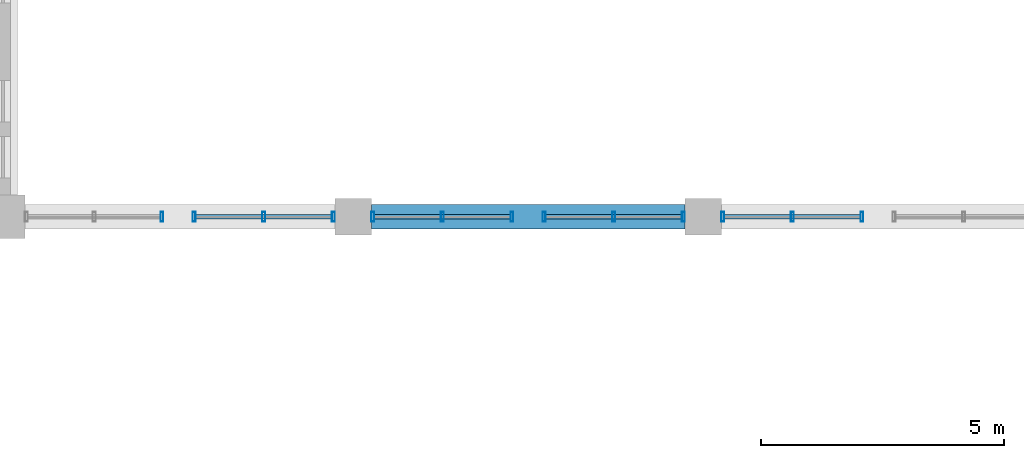
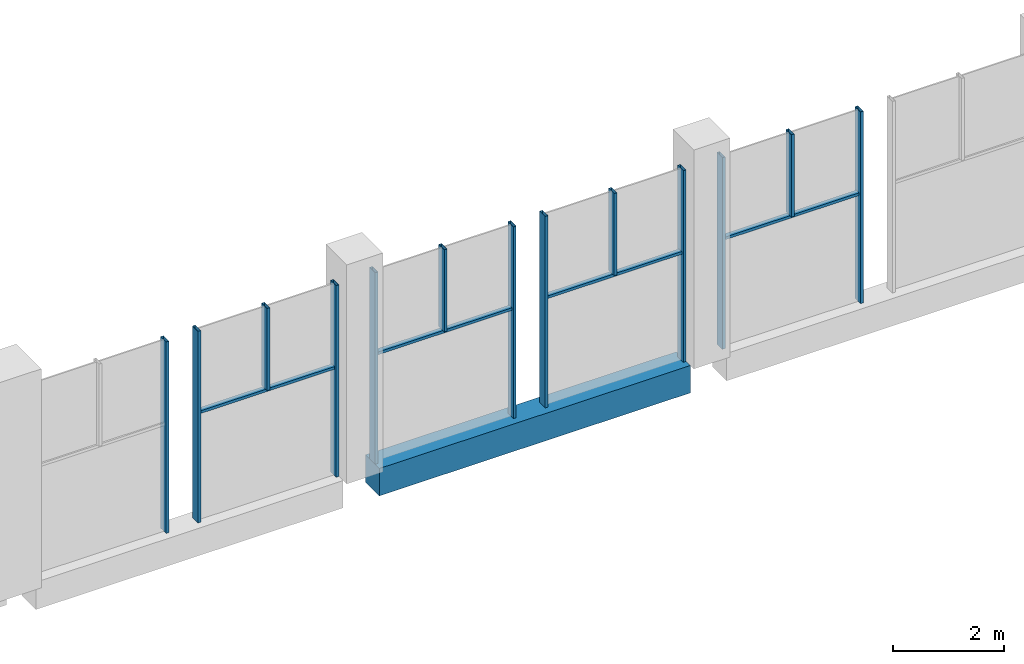
# One storey, part 13 of 30: 17 members, 1 beam, 5 elements without a shape of their own.
"""IFC4 building model written with IfcOpenShell, lengths in metres."""

from ifc_helpers import new_model, si_unit, direction, frame, origin, origin_2d, place, context, subcontext, project, spatial, rectangle, hollow_rectangle, extrude, material, material_profile, profile_set, type_object, element, aggregate, save


model = new_model("IFC4")

# Units and contexts
model_context = context("Model", 3, precision=1e-05, world=origin(), true_north=direction((0.0, 1.0)))
body_context = subcontext(model_context, "Body", "Model", "MODEL_VIEW")
ifc_project = project(units=[si_unit("LENGTHUNIT", "METRE"), si_unit("AREAUNIT", "SQUARE_METRE"), si_unit("VOLUMEUNIT", "CUBIC_METRE"), si_unit("PLANEANGLEUNIT", "RADIAN"), si_unit("MASSUNIT", "GRAM", prefix="KILO")], contexts=[model_context])

# Site, building, storey
site_placement = place(None, origin())
site = spatial("IfcSite", under=ifc_project, at=site_placement, CompositionType="ELEMENT")
building_placement = place(site_placement, origin())
building = spatial("IfcBuilding", under=site, at=building_placement, Name="Silangan Lancet Faculty of Sciences", CompositionType="ELEMENT")
storey_placement = place(building_placement, frame((0.0, 0.0, 31.199951171875)))
storey = spatial("IfcBuildingStorey", under=building, at=storey_placement, Name="L06", CompositionType="ELEMENT", Elevation=31.199951171875)

# Beam
ifc_material_1 = material(Name="Concrete C40/50", Category="concrete")
ifc_material_profile_1 = material_profile(ifc_material_1, rectangle(XDim=0.5, YDim=0.60009765625, at=origin_2d()), Name="RC 500x600")
ifc_profile_set_1 = profile_set([ifc_material_profile_1], Name="Concrete C40/50")
beam_type = type_object("IfcBeamType", Name="BEAM RC 500x600", PredefinedType="BEAM", material=ifc_profile_set_1)
beam_placement = place(storey_placement, frame((36.375, 36.0, -0.300048828125), z_axis=(1.0, 0.0, 0.0), x_axis=(0.0, 1.0, 0.0)))
element("IfcBeam", 1, at=beam_placement, inside=storey, type_object=beam_type, Name="BM-L06-6F-7F", PredefinedType="BEAM", context=body_context, shape_type="SweptSolid", body=[
    extrude(rectangle(XDim=0.5, YDim=0.60009765625, at=origin_2d()), origin(), (0.0, 0.0, 1.0), 6.449951171875),
])

# Curtain wall, members
ifc_material_2 = material(Name="Aluminium framed curtain wall with insulated glass", Category="aluminium")
curtain_wall_type = type_object("IfcCurtainWallType", Name="CW5 Nave north light glazing", PredefinedType="NOTDEFINED", material=ifc_material_2)
curtain_wall_1_placement = place(storey_placement, origin())
curtain_wall_1 = element("IfcCurtainWall", 2, at=curtain_wall_1_placement, inside=storey, type_object=curtain_wall_type, Name="CW5 Nave north lights L06 bay 2", PredefinedType="NOTDEFINED")
ifc_material_3 = material(Name="Aluminium 6063-T6 extrusion", Category="aluminium")
ifc_material_profile_2 = material_profile(ifc_material_3, hollow_rectangle(XDim=0.06005859375, YDim=0.199951171875, WallThickness=0.00390625, at=origin_2d()), Name="AL BOX 60x200x4")
ifc_profile_set_2 = profile_set([ifc_material_profile_2], Name="Aluminium 6063-T6 extrusion")
member_type_1 = type_object("IfcMemberType", Name="CM1 Mullion 60x200", PredefinedType="MULLION", material=ifc_profile_set_2)
member_1_placement = place(storey_placement, frame((46.469970703125, 36.0, 0.0), z_axis=(0.0, 0.0, 1.0), x_axis=(-1.0, 0.0, 0.0)))
member_1 = element("IfcMember", 3, at=member_1_placement, type_object=member_type_1, Name="CW5 Nave north lights L06 bay 2 mullion 1", PredefinedType="MULLION", context=body_context, shape_type="SweptSolid", body=[
    extrude(hollow_rectangle(XDim=0.06005859375, YDim=0.199951171875, WallThickness=0.00390625, at=origin_2d()), origin(), (0.0, 0.0, 1.0), 4.199951171875),
])
member_2_placement = place(storey_placement, frame((43.60498046875, 36.0, 0.0), z_axis=(0.0, 0.0, 1.0), x_axis=(-1.0, 0.0, 0.0)))
member_2 = element("IfcMember", 4, at=member_2_placement, type_object=member_type_1, Name="CW5 Nave north lights L06 bay 2 mullion 2", PredefinedType="MULLION", context=body_context, shape_type="SweptSolid", body=[
    extrude(hollow_rectangle(XDim=0.06005859375, YDim=0.199951171875, WallThickness=0.00390625, at=origin_2d()), origin(), (0.0, 0.0, 1.0), 4.199951171875),
])
member_3_placement = place(storey_placement, frame((45.03759765625, 36.0, 2.400146484375), z_axis=(0.0, 0.0, 1.0), x_axis=(-1.0, 0.0, 0.0)))
member_3 = element("IfcMember", 5, at=member_3_placement, type_object=member_type_1, Name="CW5 Nave north lights L06 bay 2 mullion 3", PredefinedType="MULLION", context=body_context, shape_type="SweptSolid", body=[
    extrude(hollow_rectangle(XDim=0.06005859375, YDim=0.199951171875, WallThickness=0.00390625, at=origin_2d()), origin(), (0.0, 0.0, 1.0), 1.7998046875),
])

curtain_wall_2_placement = place(storey_placement, origin())
curtain_wall_2 = element("IfcCurtainWall", 6, at=curtain_wall_2_placement, inside=storey, type_object=curtain_wall_type, Name="CW5 Nave north lights L06 bay 3", PredefinedType="NOTDEFINED")
member_4_placement = place(storey_placement, frame((42.794921875, 36.0, 0.0), z_axis=(0.0, 0.0, 1.0), x_axis=(-1.0, 0.0, 0.0)))
member_4 = element("IfcMember", 7, at=member_4_placement, type_object=member_type_1, Name="CW5 Nave north lights L06 bay 3 mullion 1", PredefinedType="MULLION", context=body_context, shape_type="SweptSolid", body=[
    extrude(hollow_rectangle(XDim=0.06005859375, YDim=0.199951171875, WallThickness=0.00390625, at=origin_2d()), origin(), (0.0, 0.0, 1.0), 4.199951171875),
])
member_5_placement = place(storey_placement, frame((39.93017578125, 36.0, 0.0), z_axis=(0.0, 0.0, 1.0), x_axis=(-1.0, 0.0, 0.0)))
member_5 = element("IfcMember", 8, at=member_5_placement, type_object=member_type_1, Name="CW5 Nave north lights L06 bay 3 mullion 2", PredefinedType="MULLION", context=body_context, shape_type="SweptSolid", body=[
    extrude(hollow_rectangle(XDim=0.06005859375, YDim=0.199951171875, WallThickness=0.00390625, at=origin_2d()), origin(), (0.0, 0.0, 1.0), 4.199951171875),
])
member_6_placement = place(storey_placement, frame((41.362548828125, 36.0, 2.400146484375), z_axis=(0.0, 0.0, 1.0), x_axis=(-1.0, 0.0, 0.0)))
member_6 = element("IfcMember", 9, at=member_6_placement, type_object=member_type_1, Name="CW5 Nave north lights L06 bay 3 mullion 3", PredefinedType="MULLION", context=body_context, shape_type="SweptSolid", body=[
    extrude(hollow_rectangle(XDim=0.06005859375, YDim=0.199951171875, WallThickness=0.00390625, at=origin_2d()), origin(), (0.0, 0.0, 1.0), 1.7998046875),
])

curtain_wall_3_placement = place(storey_placement, origin())
curtain_wall_3 = element("IfcCurtainWall", 10, at=curtain_wall_3_placement, inside=storey, type_object=curtain_wall_type, Name="CW5 Nave north lights L06 bay 4", PredefinedType="NOTDEFINED")
member_7_placement = place(storey_placement, frame((39.27001953125, 36.0, 0.0), z_axis=(0.0, 0.0, 1.0), x_axis=(-1.0, 0.0, 0.0)))
member_7 = element("IfcMember", 11, at=member_7_placement, type_object=member_type_1, Name="CW5 Nave north lights L06 bay 4 mullion 1", PredefinedType="MULLION", context=body_context, shape_type="SweptSolid", body=[
    extrude(hollow_rectangle(XDim=0.06005859375, YDim=0.199951171875, WallThickness=0.00390625, at=origin_2d()), origin(), (0.0, 0.0, 1.0), 4.199951171875),
])
member_8_placement = place(storey_placement, frame((36.405029296875, 36.0, 0.0), z_axis=(0.0, 0.0, 1.0), x_axis=(-1.0, 0.0, 0.0)))
member_8 = element("IfcMember", 12, at=member_8_placement, type_object=member_type_1, Name="CW5 Nave north lights L06 bay 4 mullion 2", PredefinedType="MULLION", context=body_context, shape_type="SweptSolid", body=[
    extrude(hollow_rectangle(XDim=0.06005859375, YDim=0.199951171875, WallThickness=0.00390625, at=origin_2d()), origin(), (0.0, 0.0, 1.0), 4.199951171875),
])
member_9_placement = place(storey_placement, frame((37.837646484375, 36.0, 2.400146484375), z_axis=(0.0, 0.0, 1.0), x_axis=(-1.0, 0.0, 0.0)))
member_9 = element("IfcMember", 13, at=member_9_placement, type_object=member_type_1, Name="CW5 Nave north lights L06 bay 4 mullion 3", PredefinedType="MULLION", context=body_context, shape_type="SweptSolid", body=[
    extrude(hollow_rectangle(XDim=0.06005859375, YDim=0.199951171875, WallThickness=0.00390625, at=origin_2d()), origin(), (0.0, 0.0, 1.0), 1.7998046875),
])

curtain_wall_4_placement = place(storey_placement, origin())
curtain_wall_4 = element("IfcCurtainWall", 14, at=curtain_wall_4_placement, inside=storey, type_object=curtain_wall_type, Name="CW5 Nave north lights L06 bay 5", PredefinedType="NOTDEFINED")
member_10_placement = place(storey_placement, frame((35.594970703125, 36.0, 0.0), z_axis=(0.0, 0.0, 1.0), x_axis=(-1.0, 0.0, 0.0)))
member_10 = element("IfcMember", 15, at=member_10_placement, type_object=member_type_1, Name="CW5 Nave north lights L06 bay 5 mullion 1", PredefinedType="MULLION", context=body_context, shape_type="SweptSolid", body=[
    extrude(hollow_rectangle(XDim=0.06005859375, YDim=0.199951171875, WallThickness=0.00390625, at=origin_2d()), origin(), (0.0, 0.0, 1.0), 4.199951171875),
])
member_11_placement = place(storey_placement, frame((32.72998046875, 36.0, 0.0), z_axis=(0.0, 0.0, 1.0), x_axis=(-1.0, 0.0, 0.0)))
member_11 = element("IfcMember", 16, at=member_11_placement, type_object=member_type_1, Name="CW5 Nave north lights L06 bay 5 mullion 2", PredefinedType="MULLION", context=body_context, shape_type="SweptSolid", body=[
    extrude(hollow_rectangle(XDim=0.06005859375, YDim=0.199951171875, WallThickness=0.00390625, at=origin_2d()), origin(), (0.0, 0.0, 1.0), 4.199951171875),
])
member_12_placement = place(storey_placement, frame((34.162353515625, 36.0, 2.400146484375), z_axis=(0.0, 0.0, 1.0), x_axis=(-1.0, 0.0, 0.0)))
member_12 = element("IfcMember", 17, at=member_12_placement, type_object=member_type_1, Name="CW5 Nave north lights L06 bay 5 mullion 3", PredefinedType="MULLION", context=body_context, shape_type="SweptSolid", body=[
    extrude(hollow_rectangle(XDim=0.06005859375, YDim=0.199951171875, WallThickness=0.00390625, at=origin_2d()), origin(), (0.0, 0.0, 1.0), 1.7998046875),
])

# Curtain wall, member
curtain_wall_5_placement = place(storey_placement, origin())
curtain_wall_5 = element("IfcCurtainWall", 18, at=curtain_wall_5_placement, inside=storey, type_object=curtain_wall_type, Name="CW5 Nave north lights L06 bay 6", PredefinedType="NOTDEFINED")
member_13_placement = place(storey_placement, frame((32.06982421875, 36.0, 0.0), z_axis=(0.0, 0.0, 1.0), x_axis=(-1.0, 0.0, 0.0)))
member_13 = element("IfcMember", 19, at=member_13_placement, type_object=member_type_1, Name="CW5 Nave north lights L06 bay 6 mullion 1", PredefinedType="MULLION", context=body_context, shape_type="SweptSolid", body=[
    extrude(hollow_rectangle(XDim=0.06005859375, YDim=0.199951171875, WallThickness=0.00390625, at=origin_2d()), origin(), (0.0, 0.0, 1.0), 4.199951171875),
])
aggregate(curtain_wall_5, [member_13])

# Member
ifc_material_4 = material(Name="Aluminium 6063-T6 extrusion", Category="aluminium")
ifc_material_profile_3 = material_profile(ifc_material_4, hollow_rectangle(XDim=0.10009765625, YDim=0.06005859375, WallThickness=0.0029296875, at=origin_2d()), Name="AL BOX 100x60x3")
ifc_profile_set_3 = profile_set([ifc_material_profile_3], Name="Aluminium 6063-T6 extrusion")
member_type_2 = type_object("IfcMemberType", Name="CT1 Transom 100x60", PredefinedType="USERDEFINED", material=ifc_profile_set_3)
member_14_placement = place(storey_placement, frame((46.43994140625, 36.0, 2.3701171875), z_axis=(-1.0, 0.0, 0.0), x_axis=(0.0, -1.0, 0.0)))
member_14 = element("IfcMember", 20, at=member_14_placement, type_object=member_type_2, Name="CW5 Nave north lights L06 bay 2 transom 1", ObjectType="TRANSOM", PredefinedType="USERDEFINED", context=body_context, shape_type="SweptSolid", body=[
    extrude(hollow_rectangle(XDim=0.10009765625, YDim=0.06005859375, WallThickness=0.0029296875, at=origin_2d()), origin(), (0.0, 0.0, 1.0), 2.804931640625),
])

aggregate(curtain_wall_1, [member_1, member_2, member_3, member_14])

member_15_placement = place(storey_placement, frame((42.764892578125, 36.0, 2.3701171875), z_axis=(-1.0, 0.0, 0.0), x_axis=(0.0, -1.0, 0.0)))
member_15 = element("IfcMember", 21, at=member_15_placement, type_object=member_type_2, Name="CW5 Nave north lights L06 bay 3 transom 1", ObjectType="TRANSOM", PredefinedType="USERDEFINED", context=body_context, shape_type="SweptSolid", body=[
    extrude(hollow_rectangle(XDim=0.10009765625, YDim=0.06005859375, WallThickness=0.0029296875, at=origin_2d()), origin(), (0.0, 0.0, 1.0), 2.8046875),
])

aggregate(curtain_wall_2, [member_4, member_5, member_6, member_15])

member_16_placement = place(storey_placement, frame((39.239990234375, 36.0, 2.3701171875), z_axis=(-1.0, 0.0, 0.0), x_axis=(0.0, -1.0, 0.0)))
member_16 = element("IfcMember", 22, at=member_16_placement, type_object=member_type_2, Name="CW5 Nave north lights L06 bay 4 transom 1", ObjectType="TRANSOM", PredefinedType="USERDEFINED", context=body_context, shape_type="SweptSolid", body=[
    extrude(hollow_rectangle(XDim=0.10009765625, YDim=0.06005859375, WallThickness=0.0029296875, at=origin_2d()), origin(), (0.0, 0.0, 1.0), 2.804931640625),
])

aggregate(curtain_wall_3, [member_7, member_8, member_9, member_16])

member_17_placement = place(storey_placement, frame((35.56494140625, 36.0, 2.3701171875), z_axis=(-1.0, 0.0, 0.0), x_axis=(0.0, -1.0, 0.0)))
member_17 = element("IfcMember", 23, at=member_17_placement, type_object=member_type_2, Name="CW5 Nave north lights L06 bay 5 transom 1", ObjectType="TRANSOM", PredefinedType="USERDEFINED", context=body_context, shape_type="SweptSolid", body=[
    extrude(hollow_rectangle(XDim=0.10009765625, YDim=0.06005859375, WallThickness=0.0029296875, at=origin_2d()), origin(), (0.0, 0.0, 1.0), 2.804931640625),
])

aggregate(curtain_wall_4, [member_10, member_11, member_12, member_17])

save(model, "model.ifc")
